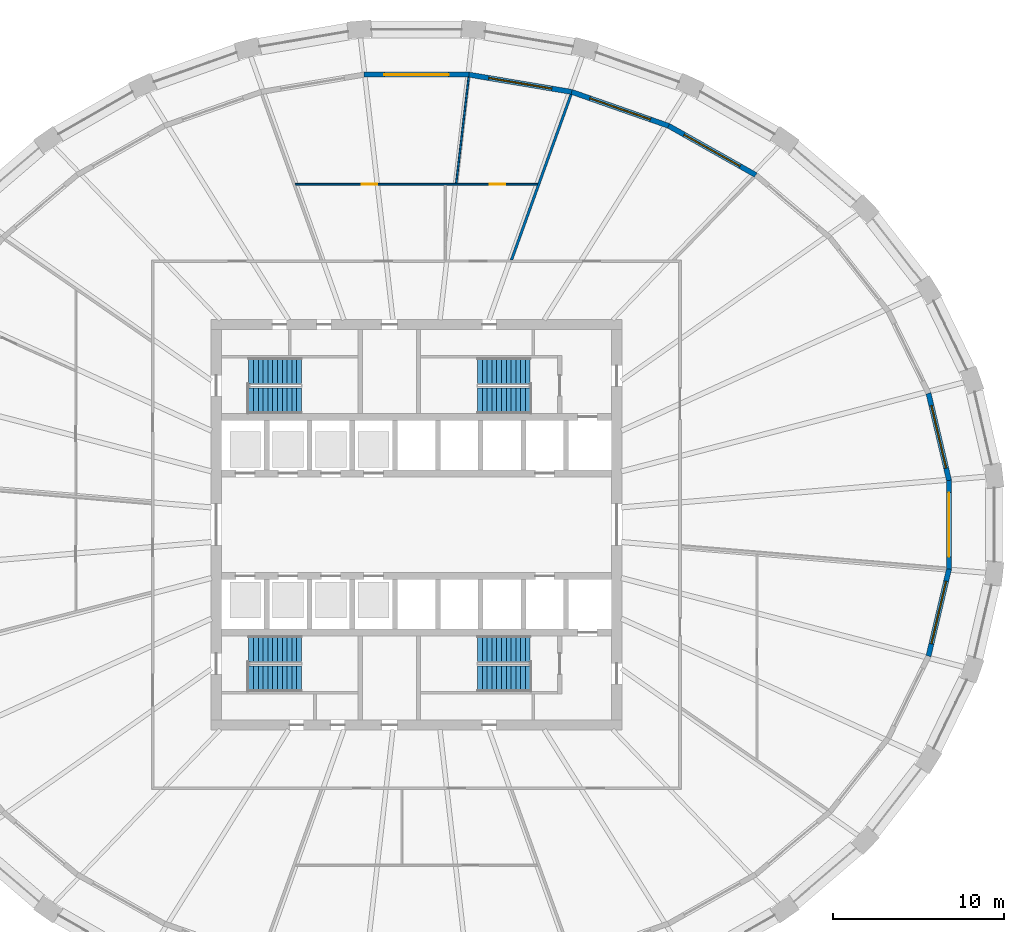
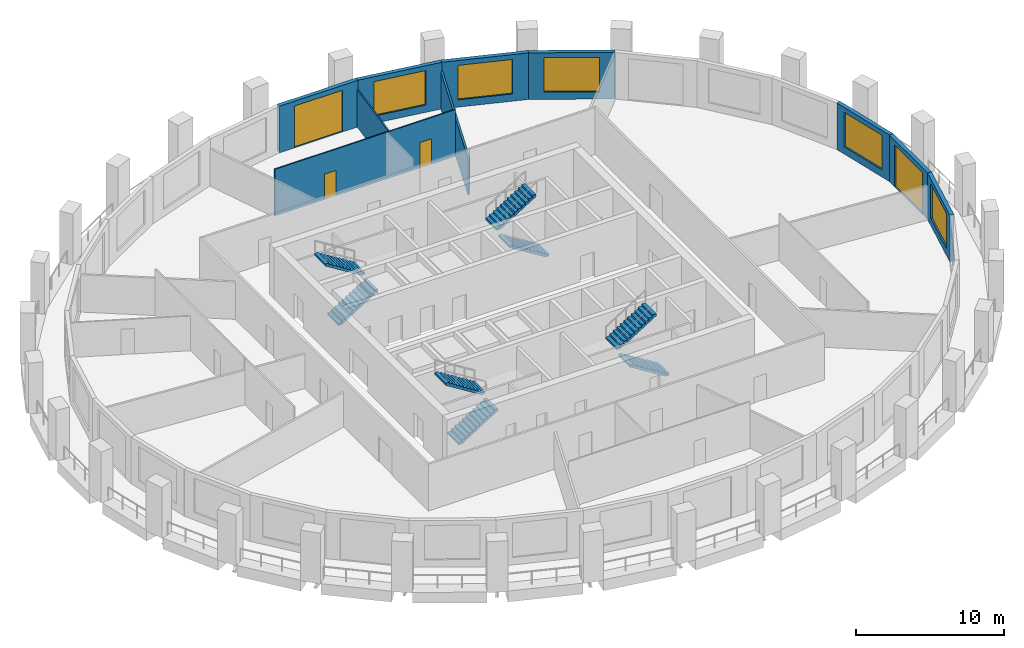
# One storey, part 7 of 10: 10 walls, 8 stair flights, 5 windows, 4 doors, 9 openings, 4 elements without a shape of their own.
"""IFC4 building model written with IfcOpenShell, lengths in metres."""

from ifc_helpers import new_model, si_unit, direction, frame, frame_2d, origin, place, context, subcontext, project, spatial, polyline, rectangle, outline, extrude, material, layer, layer_set, type_object, element, fill, aggregate, save


model = new_model("IFC4")

# Units and contexts
model_context = context("Model", 3, precision=1e-05, world=origin(), true_north=direction((0.0, 1.0)))
body_context = subcontext(model_context, "Body", "Model", "MODEL_VIEW")
ifc_project = project(units=[si_unit("LENGTHUNIT", "METRE"), si_unit("AREAUNIT", "SQUARE_METRE"), si_unit("VOLUMEUNIT", "CUBIC_METRE"), si_unit("PLANEANGLEUNIT", "RADIAN"), si_unit("MASSUNIT", "GRAM", prefix="KILO")], contexts=[model_context])

# Site, building, storey
site_placement = place(None, origin())
site = spatial("IfcSite", under=ifc_project, at=site_placement, CompositionType="ELEMENT")
building_placement = place(site_placement, origin())
building = spatial("IfcBuilding", under=site, at=building_placement, Name="Halqa Exchange Tower", CompositionType="ELEMENT")
storey_placement = place(building_placement, frame((0.0, 0.0, 163.300048828125)))
storey = spatial("IfcBuildingStorey", under=building, at=storey_placement, Name="L37", CompositionType="ELEMENT", Elevation=163.300048828125)

# Wall
ifc_material_1 = material(Name="Fire-rated gypsum board")
ifc_layer_1 = layer(ifc_material_1, 0.14990234375)
ifc_layer_set_1 = layer_set([ifc_layer_1], Name="Fire-rated gypsum board")
wall_type_1 = type_object("IfcWallType", Name="Fire partition EI 60 150", PredefinedType="PARTITIONING", material=ifc_layer_set_1)
wall_1_placement = place(storey_placement, frame((5.54248046875, 15.434814453125, 0.0), z_axis=(0.0, 0.0, 1.0), x_axis=(0.338661655399, 0.940908222497, 0.0)))
element("IfcWall", 1, at=wall_1_placement, inside=storey, type_object=wall_type_1, Name="L37-PWL-019", PredefinedType="PARTITIONING", context=body_context, shape_type="SweptSolid", body=[
    extrude(outline(polyline([(10.318115234375, -0.074951171875), (10.318115234375, -0.04296875), (10.317626953125, 0.0029296875), (10.3046875, 0.074951171875), (8.4599609375, 0.074951171875), (6.615234375, 0.074951171875), (4.770263671875, 0.074951171875), (4.677490234375, 0.04150390625), (4.66552734375, 0.074951171875), (3.1103515625, 0.074951171875), (1.55517578125, 0.074951171875), (0.0, 0.074951171875), (0.0, 0.074462890625), (0.01953125, 0.020263671875), (0.03369140625, 0.025390625), (0.069580078125, -0.074951171875), (1.77783203125, -0.074951171875), (3.48583984375, -0.074951171875), (5.19384765625, -0.074951171875), (6.90185546875, -0.074951171875), (8.610107421875, -0.074951171875), (10.318115234375, -0.074951171875)])), origin(), (0.0, 0.0, 1.0), 3.079833984375),
])

# Wall, openings, doors
ifc_material_2 = material(Name="Gypsum board")
ifc_layer_2 = layer(ifc_material_2, 0.10009765625)
ifc_layer_set_2 = layer_set([ifc_layer_2], Name="Gypsum board")
wall_type_2 = type_object("IfcWallType", Name="Partition 100 gypsum", PredefinedType="PARTITIONING", material=ifc_layer_set_2)
wall_2_placement = place(storey_placement, frame((-7.08740234375, 19.89990234375, 0.0), z_axis=(0.0, 0.0, 1.0), x_axis=(1.0, 0.0, 0.0)))
wall_2 = element("IfcWall", 2, at=wall_2_placement, inside=storey, type_object=wall_type_2, Name="L37-PWL-013", PredefinedType="PARTITIONING", context=body_context, shape_type="SweptSolid", body=[
    extrude(outline(polyline([(0.03564453125, -0.050048828125), (1.77197265625, -0.050048828125), (3.50830078125, -0.050048828125), (5.24462890625, -0.050048828125), (6.98095703125, -0.050048828125), (8.71728515625, -0.050048828125), (8.71728515625, -0.0498046875), (8.8173828125, -0.0498046875), (8.8173828125, -0.050048828125), (10.59130859375, -0.050048828125), (12.365234375, -0.050048828125), (14.13916015625, -0.050048828125), (14.1748046875, 0.048583984375), (14.1748046875, 0.050048828125), (12.6044921875, 0.050048828125), (11.033935546875, 0.050048828125), (9.463623046875, 0.050048828125), (9.463623046875, 0.048828125), (9.45361328125, 0.050048828125), (7.56298828125, 0.050048828125), (5.672119140625, 0.050048828125), (3.781494140625, 0.050048828125), (1.890625, 0.050048828125), (0.0, 0.050048828125), (0.0, 0.048583984375), (0.03564453125, -0.050048828125)])), origin(), (0.0, 0.0, 1.0), 3.849853515625),
])
opening_1_placement = place(wall_2_placement, frame((3.902587890625, 0.0, 0.0)))
opening_1 = element("IfcOpeningElement", 3, at=opening_1_placement, cuts=wall_2, Name="Opening 11-13", PredefinedType="OPENING", context=body_context, shape_type="SweptSolid", body=[
    extrude(rectangle(XDim=0.89990234375, YDim=2.10009765625, at=frame_2d((0.449951171875, 1.050048828125))), frame((0.0, 0.06201171875, 0.0), z_axis=(0.0, -1.0, 0.0), x_axis=(1.0, 0.0, 0.0)), (0.0, 0.0, 1.0), 0.1240234375),
])
opening_2_placement = place(wall_2_placement, frame((11.37255859375, 0.0, 0.0)))
opening_2 = element("IfcOpeningElement", 4, at=opening_2_placement, cuts=wall_2, Name="Opening 11-14", PredefinedType="OPENING", context=body_context, shape_type="SweptSolid", body=[
    extrude(rectangle(XDim=0.89990234375, YDim=2.10009765625, at=frame_2d((0.449951171875, 1.050048828125))), frame((0.0, 0.06201171875, 0.0), z_axis=(0.0, -1.0, 0.0), x_axis=(1.0, 0.0, 0.0)), (0.0, 0.0, 1.0), 0.1240234375),
])
ifc_material_3 = material(Name="Timber door leaf", Category="wood")
door_type_1 = type_object("IfcDoorType", Name="Door 900 x 2100", OperationType="SINGLE_SWING_LEFT", PredefinedType="DOOR", material=ifc_material_3)
door_1_placement = place(opening_1_placement, frame((0.89990234375, 0.0, 0.0), z_axis=(0.0, 0.0, 1.0), x_axis=(-1.0, 0.0, 0.0)))
door_1 = element("IfcDoor", 5, at=door_1_placement, inside=storey, type_object=door_type_1, Name="L37-IDR-013", OperationType="SINGLE_SWING_LEFT", OverallHeight=2.10009765625, OverallWidth=0.89990234375, PredefinedType="DOOR", context=body_context, shape_type="SweptSolid", body=[
    extrude(rectangle(XDim=0.89990234375, YDim=2.10009765625, at=frame_2d((0.449951171875, 1.050048828125))), frame((0.0, 0.02490234375, 0.0), z_axis=(0.0, -1.0, 0.0), x_axis=(1.0, 0.0, 0.0)), (0.0, 0.0, 1.0), 0.050048828125),
])
fill(opening_1, door_1)
door_2_placement = place(opening_2_placement, frame((0.89990234375, 0.0, 0.0), z_axis=(0.0, 0.0, 1.0), x_axis=(-1.0, 0.0, 0.0)))
door_2 = element("IfcDoor", 6, at=door_2_placement, inside=storey, type_object=door_type_1, Name="L37-IDR-014", OperationType="SINGLE_SWING_RIGHT", OverallHeight=2.10009765625, OverallWidth=0.89990234375, PredefinedType="DOOR", context=body_context, shape_type="SweptSolid", body=[
    extrude(rectangle(XDim=0.89990234375, YDim=2.10009765625, at=frame_2d((0.449951171875, 1.050048828125))), frame((0.0, 0.02490234375, 0.0), z_axis=(0.0, -1.0, 0.0), x_axis=(1.0, 0.0, 0.0)), (0.0, 0.0, 1.0), 0.050048828125),
])
fill(opening_2, door_2)

# Wall
wall_3_placement = place(storey_placement, frame((2.3251953125, 19.944091796875, 0.0), z_axis=(0.0, 0.0, 1.0), x_axis=(0.116750504681, 0.993161275754, 0.0)))
element("IfcWall", 7, at=wall_3_placement, inside=storey, type_object=wall_type_2, Name="L37-PWL-017", PredefinedType="PARTITIONING", context=body_context, shape_type="SweptSolid", body=[
    extrude(outline(polyline([(6.244140625, -0.050048828125), (6.244140625, 0.027099609375), (6.241455078125, 0.050048828125), (4.68115234375, 0.050048828125), (3.120849609375, 0.050048828125), (1.560302734375, 0.050048828125), (0.0, 0.050048828125), (0.01171875, -0.050048828125), (1.56982421875, -0.050048828125), (3.1279296875, -0.050048828125), (4.68603515625, -0.050048828125), (6.244140625, -0.050048828125)])), origin(), (0.0, 0.0, 1.0), 3.079833984375),
])

# Wall, opening, window
ifc_material_4 = material(Name="Limestone cladding", Category="masonry")
ifc_layer_3 = layer(ifc_material_4, 0.0400390625)
ifc_material_5 = material(Name="Ventilated cavity")
ifc_layer_4 = layer(ifc_material_5, 0.030029296875, ventilated=True)
ifc_material_6 = material(Name="Mineral wool insulation")
ifc_layer_5 = layer(ifc_material_6, 0.10009765625)
ifc_material_7 = material(Name="Concrete C30/37", Category="concrete")
ifc_layer_6 = layer(ifc_material_7, 0.10009765625)
ifc_material_8 = material(Name="Internal plaster")
ifc_layer_7 = layer(ifc_material_8, 0.030029296875)
ifc_layer_set_3 = layer_set([ifc_layer_3, ifc_layer_4, ifc_layer_5, ifc_layer_6, ifc_layer_7], Name="Stone-faced insulated wall 300")
wall_type_3 = type_object("IfcWallType", Name="Stone-faced insulated wall 300", PredefinedType="STANDARD", material=ifc_layer_set_3)
wall_4_placement = place(storey_placement, frame((31.12109375, 2.5927734375, 0.0), z_axis=(0.0, 0.0, 1.0), x_axis=(-0.229297175564, 0.973356463624, 0.0)))
wall_4 = element("IfcWall", 8, at=wall_4_placement, inside=storey, type_object=wall_type_3, Name="Glass-line wall 1", PredefinedType="STANDARD", context=body_context, shape_type="SweptSolid", body=[
    extrude(outline(polyline([(-0.017333984375, -0.14990234375), (5.241455078125, -0.14990234375), (5.207763671875, 0.14990234375), (0.017333984375, 0.14990234375), (-0.017333984375, -0.14990234375)])), origin(), (0.0, 0.0, 1.0), 3.849853515625),
])
opening_3_placement = place(wall_4_placement, frame((0.7373046875, 0.0, 0.60009765625)))
opening_3 = element("IfcOpeningElement", 9, at=opening_3_placement, cuts=wall_4, Name="Opening W-F2-01", PredefinedType="OPENING", context=body_context, shape_type="SweptSolid", body=[
    extrude(rectangle(XDim=3.75, YDim=2.85009765625, at=frame_2d((1.875, 1.425048828125))), frame((0.0, 0.162109375, 0.0), z_axis=(0.0, -1.0, 0.0), x_axis=(1.0, 0.0, 0.0)), (0.0, 0.0, 1.0), 0.323974609375),
])
ifc_material_9 = material(Name="Clear low-emissivity glass in aluminium frame", Category="aluminium")
window_type = type_object("IfcWindowType", Name="Fixed clear glazed window 3750 x 2850", PartitioningType="TRIPLE_PANEL_VERTICAL", PredefinedType="WINDOW", material=ifc_material_9)
window_1_placement = place(opening_3_placement, origin())
window_1 = element("IfcWindow", 10, at=window_1_placement, inside=storey, type_object=window_type, Name="Window 2", OverallHeight=2.85009765625, OverallWidth=3.75, PartitioningType="TRIPLE_PANEL_VERTICAL", PredefinedType="WINDOW", context=body_context, shape_type="SweptSolid", body=[
    extrude(rectangle(XDim=3.75, YDim=2.85009765625, at=frame_2d((1.875, 1.425048828125))), frame((0.0, 0.030029296875, 0.0), z_axis=(0.0, -1.0, 0.0), x_axis=(1.0, 0.0, 0.0)), (0.0, 0.0, 1.0), 0.06005859375),
])
fill(opening_3, window_1)

wall_5_placement = place(storey_placement, frame((19.8291015625, 20.434814453125, 0.0), z_axis=(0.0, 0.0, 1.0), x_axis=(-0.870982130072, 0.491314694565, 0.0)))
wall_5 = element("IfcWall", 11, at=wall_5_placement, inside=storey, type_object=wall_type_3, Name="Glass-line wall 5", PredefinedType="STANDARD", context=body_context, shape_type="SweptSolid", body=[
    extrude(outline(polyline([(-0.01416015625, -0.14990234375), (5.864990234375, -0.14990234375), (5.838134765625, 0.14990234375), (0.01416015625, 0.14990234375), (-0.01416015625, -0.14990234375)])), origin(), (0.0, 0.0, 1.0), 3.849853515625),
])
opening_4_placement = place(wall_5_placement, frame((1.05078125, 0.0, 0.60009765625)))
opening_4 = element("IfcOpeningElement", 12, at=opening_4_placement, cuts=wall_5, Name="Opening W-F2-05", PredefinedType="OPENING", context=body_context, shape_type="SweptSolid", body=[
    extrude(rectangle(XDim=3.75, YDim=2.85009765625, at=frame_2d((1.875, 1.425048828125))), frame((0.0, 0.162109375, 0.0), z_axis=(0.0, -1.0, 0.0), x_axis=(1.0, 0.0, 0.0)), (0.0, 0.0, 1.0), 0.323974609375),
])
window_2_placement = place(opening_4_placement, origin())
window_2 = element("IfcWindow", 13, at=window_2_placement, inside=storey, type_object=window_type, Name="Window 2", OverallHeight=2.85009765625, OverallWidth=3.75, PartitioningType="TRIPLE_PANEL_VERTICAL", PredefinedType="WINDOW", context=body_context, shape_type="SweptSolid", body=[
    extrude(rectangle(XDim=3.75, YDim=2.85009765625, at=frame_2d((1.875, 1.425048828125))), frame((0.0, 0.030029296875, 0.0), z_axis=(0.0, -1.0, 0.0), x_axis=(1.0, 0.0, 0.0)), (0.0, 0.0, 1.0), 0.06005859375),
])
fill(opening_4, window_2)

wall_6_placement = place(storey_placement, frame((14.732421875, 23.309814453125, 0.0), z_axis=(0.0, 0.0, 1.0), x_axis=(-0.943944636678, 0.330103806228, 0.0)))
wall_6 = element("IfcWall", 14, at=wall_6_placement, inside=storey, type_object=wall_type_3, Name="Glass-line wall 6", PredefinedType="STANDARD", context=body_context, shape_type="SweptSolid", body=[
    extrude(outline(polyline([(-0.013427734375, -0.14990234375), (6.010009765625, -0.14990234375), (5.984619140625, 0.14990234375), (0.013427734375, 0.14990234375), (-0.013427734375, -0.14990234375)])), origin(), (0.0, 0.0, 1.0), 3.849853515625),
])
opening_5_placement = place(wall_6_placement, frame((1.12353515625, 0.0, 0.60009765625)))
opening_5 = element("IfcOpeningElement", 15, at=opening_5_placement, cuts=wall_6, Name="Opening W-F2-06", PredefinedType="OPENING", context=body_context, shape_type="SweptSolid", body=[
    extrude(rectangle(XDim=3.75, YDim=2.85009765625, at=frame_2d((1.875, 1.425048828125))), frame((0.0, 0.162109375, 0.0), z_axis=(0.0, -1.0, 0.0), x_axis=(1.0, 0.0, 0.0)), (0.0, 0.0, 1.0), 0.323974609375),
])
window_3_placement = place(opening_5_placement, origin())
window_3 = element("IfcWindow", 16, at=window_3_placement, inside=storey, type_object=window_type, Name="Window 2", OverallHeight=2.85009765625, OverallWidth=3.75, PartitioningType="TRIPLE_PANEL_VERTICAL", PredefinedType="WINDOW", context=body_context, shape_type="SweptSolid", body=[
    extrude(rectangle(XDim=3.75, YDim=2.85009765625, at=frame_2d((1.875, 1.425048828125))), frame((0.0, 0.030029296875, 0.0), z_axis=(0.0, -1.0, 0.0), x_axis=(1.0, 0.0, 0.0)), (0.0, 0.0, 1.0), 0.06005859375),
])
fill(opening_5, window_3)

wall_7_placement = place(storey_placement, frame((9.0712890625, 25.28955078125, 0.0), z_axis=(0.0, 0.0, 1.0), x_axis=(-0.98618955457, 0.165620537547, 0.0)))
wall_7 = element("IfcWall", 17, at=wall_7_placement, inside=storey, type_object=wall_type_3, Name="Glass-line wall 7", PredefinedType="STANDARD", context=body_context, shape_type="SweptSolid", body=[
    extrude(outline(polyline([(-0.0126953125, -0.14990234375), (6.10498046875, -0.14990234375), (6.080078125, 0.14990234375), (0.0126953125, 0.14990234375), (-0.0126953125, -0.14990234375)])), origin(), (0.0, 0.0, 1.0), 3.849853515625),
])
opening_6_placement = place(wall_7_placement, frame((1.17138671875, 0.0, 0.60009765625)))
opening_6 = element("IfcOpeningElement", 18, at=opening_6_placement, cuts=wall_7, Name="Opening W-F2-07", PredefinedType="OPENING", context=body_context, shape_type="SweptSolid", body=[
    extrude(rectangle(XDim=3.75, YDim=2.85009765625, at=frame_2d((1.875, 1.425048828125))), frame((0.0, 0.162109375, 0.0), z_axis=(0.0, -1.0, 0.0), x_axis=(1.0, 0.0, 0.0)), (0.0, 0.0, 1.0), 0.323974609375),
])
window_4_placement = place(opening_6_placement, origin())
window_4 = element("IfcWindow", 19, at=window_4_placement, inside=storey, type_object=window_type, Name="Window 2", OverallHeight=2.85009765625, OverallWidth=3.75, PartitioningType="TRIPLE_PANEL_VERTICAL", PredefinedType="WINDOW", context=body_context, shape_type="SweptSolid", body=[
    extrude(rectangle(XDim=3.75, YDim=2.85009765625, at=frame_2d((1.875, 1.425048828125))), frame((0.0, 0.030029296875, 0.0), z_axis=(0.0, -1.0, 0.0), x_axis=(1.0, 0.0, 0.0)), (0.0, 0.0, 1.0), 0.06005859375),
])
fill(opening_6, window_4)

# Wall, opening, door
wall_8_placement = place(storey_placement, frame((3.06298828125, 26.298583984375, 0.0), z_axis=(0.0, 0.0, 1.0), x_axis=(-1.0, 0.0, 0.0)))
wall_8 = element("IfcWall", 20, at=wall_8_placement, inside=storey, type_object=wall_type_3, Name="Glass-line wall 8", PredefinedType="STANDARD", context=body_context, shape_type="SweptSolid", body=[
    extrude(outline(polyline([(-0.012451171875, -0.14990234375), (6.138427734375, -0.14990234375), (6.113525390625, 0.14990234375), (0.012451171875, 0.14990234375), (-0.012451171875, -0.14990234375)])), origin(), (0.0, 0.0, 1.0), 3.849853515625),
])
opening_7_placement = place(wall_8_placement, frame((1.18798828125, 0.0, 0.0)))
opening_7 = element("IfcOpeningElement", 21, at=opening_7_placement, cuts=wall_8, Name="Opening LG-F2-02", PredefinedType="OPENING", context=body_context, shape_type="SweptSolid", body=[
    extrude(rectangle(XDim=3.75, YDim=3.449951171875, at=frame_2d((1.875, 1.72509765625))), frame((0.0, 0.162109375, 0.0), z_axis=(0.0, -1.0, 0.0), x_axis=(1.0, 0.0, 0.0)), (0.0, 0.0, 1.0), 0.323974609375),
])
door_type_2 = type_object("IfcDoorType", Name="Glazed sliding loggia door 3750 x 3450", OperationType="DOUBLE_DOOR_SLIDING", PredefinedType="DOOR", material=ifc_material_9)
door_3_placement = place(opening_7_placement, origin())
door_3 = element("IfcDoor", 22, at=door_3_placement, inside=storey, type_object=door_type_2, Name="Loggia door 2", OperationType="DOUBLE_DOOR_SLIDING", OverallHeight=3.449951171875, OverallWidth=3.75, PredefinedType="DOOR", context=body_context, shape_type="SweptSolid", body=[
    extrude(rectangle(XDim=3.75, YDim=3.449951171875, at=frame_2d((1.875, 1.72509765625))), frame((0.0, 0.02490234375, 0.0), z_axis=(0.0, -1.0, 0.0), x_axis=(1.0, 0.0, 0.0)), (0.0, 0.0, 1.0), 0.050048828125),
])
fill(opening_7, door_3)

# Wall, opening, window
wall_9_placement = place(storey_placement, frame((29.923095703125, -7.67822265625, 0.0), z_axis=(0.0, 0.0, 1.0), x_axis=(0.229297175564, 0.973356463624, 0.0)))
wall_9 = element("IfcWall", 23, at=wall_9_placement, inside=storey, type_object=wall_type_3, Name="Glass-line wall 31", PredefinedType="STANDARD", context=body_context, shape_type="SweptSolid", body=[
    extrude(outline(polyline([(-0.016845703125, -0.14990234375), (5.241943359375, -0.14990234375), (5.207275390625, 0.14990234375), (0.016845703125, 0.14990234375), (-0.016845703125, -0.14990234375)])), origin(), (0.0, 0.0, 1.0), 3.849853515625),
])
opening_8_placement = place(wall_9_placement, frame((0.7373046875, 0.0, 0.60009765625)))
opening_8 = element("IfcOpeningElement", 24, at=opening_8_placement, cuts=wall_9, Name="Opening W-F2-31", PredefinedType="OPENING", context=body_context, shape_type="SweptSolid", body=[
    extrude(rectangle(XDim=3.75, YDim=2.85009765625, at=frame_2d((1.875, 1.425048828125))), frame((0.0, 0.162109375, 0.0), z_axis=(0.0, -1.0, 0.0), x_axis=(1.0, 0.0, 0.0)), (0.0, 0.0, 1.0), 0.323974609375),
])
window_5_placement = place(opening_8_placement, origin())
window_5 = element("IfcWindow", 25, at=window_5_placement, inside=storey, type_object=window_type, Name="Window 2", OverallHeight=2.85009765625, OverallWidth=3.75, PartitioningType="TRIPLE_PANEL_VERTICAL", PredefinedType="WINDOW", context=body_context, shape_type="SweptSolid", body=[
    extrude(rectangle(XDim=3.75, YDim=2.85009765625, at=frame_2d((1.875, 1.425048828125))), frame((0.0, 0.030029296875, 0.0), z_axis=(0.0, -1.0, 0.0), x_axis=(1.0, 0.0, 0.0)), (0.0, 0.0, 1.0), 0.06005859375),
])
fill(opening_8, window_5)

# Wall, opening, door
wall_10_placement = place(storey_placement, frame((31.12109375, -2.5927734375, 0.0), z_axis=(0.0, 0.0, 1.0), x_axis=(0.0, 1.0, 0.0)))
wall_10 = element("IfcWall", 26, at=wall_10_placement, inside=storey, type_object=wall_type_3, Name="Glass-line wall 32", PredefinedType="STANDARD", context=body_context, shape_type="SweptSolid", body=[
    extrude(outline(polyline([(-0.017333984375, -0.14990234375), (5.202880859375, -0.14990234375), (5.168212890625, 0.14990234375), (0.017333984375, 0.14990234375), (-0.017333984375, -0.14990234375)])), origin(), (0.0, 0.0, 1.0), 3.849853515625),
])
opening_9_placement = place(wall_10_placement, frame((0.7177734375, 0.0, 0.0)))
opening_9 = element("IfcOpeningElement", 27, at=opening_9_placement, cuts=wall_10, Name="Opening LG-F2-08", PredefinedType="OPENING", context=body_context, shape_type="SweptSolid", body=[
    extrude(rectangle(XDim=3.75, YDim=3.449951171875, at=frame_2d((1.875, 1.72509765625))), frame((0.0, 0.162109375, 0.0), z_axis=(0.0, -1.0, 0.0), x_axis=(1.0, 0.0, 0.0)), (0.0, 0.0, 1.0), 0.323974609375),
])
door_4_placement = place(opening_9_placement, origin())
door_4 = element("IfcDoor", 28, at=door_4_placement, inside=storey, type_object=door_type_2, Name="Loggia door 8", OperationType="DOUBLE_DOOR_SLIDING", OverallHeight=3.449951171875, OverallWidth=3.75, PredefinedType="DOOR", context=body_context, shape_type="SweptSolid", body=[
    extrude(rectangle(XDim=3.75, YDim=3.449951171875, at=frame_2d((1.875, 1.72509765625))), frame((0.0, 0.02490234375, 0.0), z_axis=(0.0, -1.0, 0.0), x_axis=(1.0, 0.0, 0.0)), (0.0, 0.0, 1.0), 0.050048828125),
])
fill(opening_9, door_4)

# Stair, stair flights
stair_type = type_object("IfcStairType", Name="Exit stair 1500 wide", PredefinedType="HALF_TURN_STAIR", material=ifc_material_7)
stair_1_placement = place(storey_placement, origin())
stair_1 = element("IfcStair", 29, at=stair_1_placement, inside=storey, type_object=stair_type, Name="Exit stair ST1", PredefinedType="HALF_TURN_STAIR")
stair_flight_type = type_object("IfcStairFlightType", Name="Stair flight 1500 wide", PredefinedType="STRAIGHT", material=ifc_material_7)
stair_flight_1_placement = place(storey_placement, frame((-9.800048828125, 7.25, 0.0), z_axis=(0.0, 0.0, 1.0), x_axis=(1.0, 0.0, 0.0)))
stair_flight_1 = element("IfcStairFlight", 30, at=stair_flight_1_placement, type_object=stair_flight_type, Name="ST1 flight 1", NumberOfRisers=12, NumberOfTreads=11, PredefinedType="STRAIGHT", RiserHeight=0.175, TreadLength=0.28, context=body_context, shape_type="SweptSolid", body=[
    extrude(outline(polyline([(0.0, 0.0), (0.0, 0.175048828125), (0.280029296875, 0.175048828125), (0.280029296875, 0.35009765625), (0.56005859375, 0.35009765625), (0.56005859375, 0.52490234375), (0.840087890625, 0.52490234375), (0.840087890625, 0.699951171875), (1.1201171875, 0.699951171875), (1.1201171875, 0.875), (1.39990234375, 0.875), (1.39990234375, 1.050048828125), (1.679931640625, 1.050048828125), (1.679931640625, 1.22509765625), (1.9599609375, 1.22509765625), (1.9599609375, 1.39990234375), (2.239990234375, 1.39990234375), (2.239990234375, 1.574951171875), (2.52001953125, 1.574951171875), (2.52001953125, 1.75), (2.800048828125, 1.75), (2.800048828125, 1.925048828125), (3.080078125, 1.925048828125), (3.080078125, 2.10009765625), (3.080078125, 1.748291015625), (0.28271484375, 0.0), (0.0, 0.0)])), frame((0.0, 0.75, 0.0), z_axis=(0.0, -1.0, 0.0), x_axis=(1.0, 0.0, 0.0)), (0.0, 0.0, 1.0), 1.5),
])
stair_flight_2_placement = place(storey_placement, frame((-6.719970703125, 9.0, 2.099853515625), z_axis=(0.0, 0.0, 1.0), x_axis=(-1.0, 0.0, 0.0)))
stair_flight_2 = element("IfcStairFlight", 31, at=stair_flight_2_placement, type_object=stair_flight_type, Name="ST1 flight 2", NumberOfRisers=12, NumberOfTreads=11, PredefinedType="STRAIGHT", RiserHeight=0.175, TreadLength=0.28, context=body_context, shape_type="SweptSolid", body=[
    extrude(outline(polyline([(0.0, 0.0), (0.0, 0.175048828125), (0.280029296875, 0.175048828125), (0.280029296875, 0.35009765625), (0.56005859375, 0.35009765625), (0.56005859375, 0.52490234375), (0.840087890625, 0.52490234375), (0.840087890625, 0.699951171875), (1.1201171875, 0.699951171875), (1.1201171875, 0.875), (1.39990234375, 0.875), (1.39990234375, 1.050048828125), (1.679931640625, 1.050048828125), (1.679931640625, 1.22509765625), (1.9599609375, 1.22509765625), (1.9599609375, 1.39990234375), (2.239990234375, 1.39990234375), (2.239990234375, 1.574951171875), (2.52001953125, 1.574951171875), (2.52001953125, 1.75), (2.800048828125, 1.75), (2.800048828125, 1.925048828125), (3.080078125, 1.925048828125), (3.080078125, 2.10009765625), (3.080078125, 1.748291015625), (0.28271484375, 0.0), (0.0, 0.0)])), frame((0.0, 0.75, 0.0), z_axis=(0.0, -1.0, 0.0), x_axis=(1.0, 0.0, 0.0)), (0.0, 0.0, 1.0), 1.5),
])
aggregate(stair_1, [stair_flight_1, stair_flight_2])

stair_2_placement = place(storey_placement, origin())
stair_2 = element("IfcStair", 32, at=stair_2_placement, inside=storey, type_object=stair_type, Name="Exit stair ST2", PredefinedType="HALF_TURN_STAIR")
stair_flight_3_placement = place(storey_placement, frame((6.64990234375, 7.25, 0.0), z_axis=(0.0, 0.0, 1.0), x_axis=(-1.0, 0.0, 0.0)))
stair_flight_3 = element("IfcStairFlight", 33, at=stair_flight_3_placement, type_object=stair_flight_type, Name="ST2 flight 1", NumberOfRisers=12, NumberOfTreads=11, PredefinedType="STRAIGHT", RiserHeight=0.175, TreadLength=0.28, context=body_context, shape_type="SweptSolid", body=[
    extrude(outline(polyline([(0.0, 0.0), (0.0, 0.175048828125), (0.280029296875, 0.175048828125), (0.280029296875, 0.35009765625), (0.56005859375, 0.35009765625), (0.56005859375, 0.52490234375), (0.840087890625, 0.52490234375), (0.840087890625, 0.699951171875), (1.1201171875, 0.699951171875), (1.1201171875, 0.875), (1.39990234375, 0.875), (1.39990234375, 1.050048828125), (1.679931640625, 1.050048828125), (1.679931640625, 1.22509765625), (1.9599609375, 1.22509765625), (1.9599609375, 1.39990234375), (2.239990234375, 1.39990234375), (2.239990234375, 1.574951171875), (2.52001953125, 1.574951171875), (2.52001953125, 1.75), (2.800048828125, 1.75), (2.800048828125, 1.925048828125), (3.080078125, 1.925048828125), (3.080078125, 2.10009765625), (3.080078125, 1.748291015625), (0.28271484375, 0.0), (0.0, 0.0)])), frame((0.0, 0.75, 0.0), z_axis=(0.0, -1.0, 0.0), x_axis=(1.0, 0.0, 0.0)), (0.0, 0.0, 1.0), 1.5),
])
stair_flight_4_placement = place(storey_placement, frame((3.570068359375, 9.0, 2.099853515625), z_axis=(0.0, 0.0, 1.0), x_axis=(1.0, 0.0, 0.0)))
stair_flight_4 = element("IfcStairFlight", 34, at=stair_flight_4_placement, type_object=stair_flight_type, Name="ST2 flight 2", NumberOfRisers=12, NumberOfTreads=11, PredefinedType="STRAIGHT", RiserHeight=0.175, TreadLength=0.28, context=body_context, shape_type="SweptSolid", body=[
    extrude(outline(polyline([(0.0, 0.0), (0.0, 0.175048828125), (0.280029296875, 0.175048828125), (0.280029296875, 0.35009765625), (0.56005859375, 0.35009765625), (0.56005859375, 0.52490234375), (0.840087890625, 0.52490234375), (0.840087890625, 0.699951171875), (1.1201171875, 0.699951171875), (1.1201171875, 0.875), (1.39990234375, 0.875), (1.39990234375, 1.050048828125), (1.679931640625, 1.050048828125), (1.679931640625, 1.22509765625), (1.9599609375, 1.22509765625), (1.9599609375, 1.39990234375), (2.239990234375, 1.39990234375), (2.239990234375, 1.574951171875), (2.52001953125, 1.574951171875), (2.52001953125, 1.75), (2.800048828125, 1.75), (2.800048828125, 1.925048828125), (3.080078125, 1.925048828125), (3.080078125, 2.10009765625), (3.080078125, 1.748291015625), (0.28271484375, 0.0), (0.0, 0.0)])), frame((0.0, 0.75, 0.0), z_axis=(0.0, -1.0, 0.0), x_axis=(1.0, 0.0, 0.0)), (0.0, 0.0, 1.0), 1.5),
])
aggregate(stair_2, [stair_flight_3, stair_flight_4])

stair_3_placement = place(storey_placement, origin())
stair_3 = element("IfcStair", 35, at=stair_3_placement, inside=storey, type_object=stair_type, Name="Exit stair ST3", PredefinedType="HALF_TURN_STAIR")
stair_flight_5_placement = place(storey_placement, frame((-9.800048828125, -9.0, 0.0), z_axis=(0.0, 0.0, 1.0), x_axis=(1.0, 0.0, 0.0)))
stair_flight_5 = element("IfcStairFlight", 36, at=stair_flight_5_placement, type_object=stair_flight_type, Name="ST3 flight 1", NumberOfRisers=12, NumberOfTreads=11, PredefinedType="STRAIGHT", RiserHeight=0.175, TreadLength=0.28, context=body_context, shape_type="SweptSolid", body=[
    extrude(outline(polyline([(0.0, 0.0), (0.0, 0.175048828125), (0.280029296875, 0.175048828125), (0.280029296875, 0.35009765625), (0.56005859375, 0.35009765625), (0.56005859375, 0.52490234375), (0.840087890625, 0.52490234375), (0.840087890625, 0.699951171875), (1.1201171875, 0.699951171875), (1.1201171875, 0.875), (1.39990234375, 0.875), (1.39990234375, 1.050048828125), (1.679931640625, 1.050048828125), (1.679931640625, 1.22509765625), (1.9599609375, 1.22509765625), (1.9599609375, 1.39990234375), (2.239990234375, 1.39990234375), (2.239990234375, 1.574951171875), (2.52001953125, 1.574951171875), (2.52001953125, 1.75), (2.800048828125, 1.75), (2.800048828125, 1.925048828125), (3.080078125, 1.925048828125), (3.080078125, 2.10009765625), (3.080078125, 1.748291015625), (0.28271484375, 0.0), (0.0, 0.0)])), frame((0.0, 0.75, 0.0), z_axis=(0.0, -1.0, 0.0), x_axis=(1.0, 0.0, 0.0)), (0.0, 0.0, 1.0), 1.5),
])
stair_flight_6_placement = place(storey_placement, frame((-6.719970703125, -7.25, 2.099853515625), z_axis=(0.0, 0.0, 1.0), x_axis=(-1.0, 0.0, 0.0)))
stair_flight_6 = element("IfcStairFlight", 37, at=stair_flight_6_placement, type_object=stair_flight_type, Name="ST3 flight 2", NumberOfRisers=12, NumberOfTreads=11, PredefinedType="STRAIGHT", RiserHeight=0.175, TreadLength=0.28, context=body_context, shape_type="SweptSolid", body=[
    extrude(outline(polyline([(0.0, 0.0), (0.0, 0.175048828125), (0.280029296875, 0.175048828125), (0.280029296875, 0.35009765625), (0.56005859375, 0.35009765625), (0.56005859375, 0.52490234375), (0.840087890625, 0.52490234375), (0.840087890625, 0.699951171875), (1.1201171875, 0.699951171875), (1.1201171875, 0.875), (1.39990234375, 0.875), (1.39990234375, 1.050048828125), (1.679931640625, 1.050048828125), (1.679931640625, 1.22509765625), (1.9599609375, 1.22509765625), (1.9599609375, 1.39990234375), (2.239990234375, 1.39990234375), (2.239990234375, 1.574951171875), (2.52001953125, 1.574951171875), (2.52001953125, 1.75), (2.800048828125, 1.75), (2.800048828125, 1.925048828125), (3.080078125, 1.925048828125), (3.080078125, 2.10009765625), (3.080078125, 1.748291015625), (0.28271484375, 0.0), (0.0, 0.0)])), frame((0.0, 0.75, 0.0), z_axis=(0.0, -1.0, 0.0), x_axis=(1.0, 0.0, 0.0)), (0.0, 0.0, 1.0), 1.5),
])
aggregate(stair_3, [stair_flight_5, stair_flight_6])

stair_4_placement = place(storey_placement, origin())
stair_4 = element("IfcStair", 38, at=stair_4_placement, inside=storey, type_object=stair_type, Name="Exit stair ST4", PredefinedType="HALF_TURN_STAIR")
stair_flight_7_placement = place(storey_placement, frame((6.64990234375, -9.0, 0.0), z_axis=(0.0, 0.0, 1.0), x_axis=(-1.0, 0.0, 0.0)))
stair_flight_7 = element("IfcStairFlight", 39, at=stair_flight_7_placement, type_object=stair_flight_type, Name="ST4 flight 1", NumberOfRisers=12, NumberOfTreads=11, PredefinedType="STRAIGHT", RiserHeight=0.175, TreadLength=0.28, context=body_context, shape_type="SweptSolid", body=[
    extrude(outline(polyline([(0.0, 0.0), (0.0, 0.175048828125), (0.280029296875, 0.175048828125), (0.280029296875, 0.35009765625), (0.56005859375, 0.35009765625), (0.56005859375, 0.52490234375), (0.840087890625, 0.52490234375), (0.840087890625, 0.699951171875), (1.1201171875, 0.699951171875), (1.1201171875, 0.875), (1.39990234375, 0.875), (1.39990234375, 1.050048828125), (1.679931640625, 1.050048828125), (1.679931640625, 1.22509765625), (1.9599609375, 1.22509765625), (1.9599609375, 1.39990234375), (2.239990234375, 1.39990234375), (2.239990234375, 1.574951171875), (2.52001953125, 1.574951171875), (2.52001953125, 1.75), (2.800048828125, 1.75), (2.800048828125, 1.925048828125), (3.080078125, 1.925048828125), (3.080078125, 2.10009765625), (3.080078125, 1.748291015625), (0.28271484375, 0.0), (0.0, 0.0)])), frame((0.0, 0.75, 0.0), z_axis=(0.0, -1.0, 0.0), x_axis=(1.0, 0.0, 0.0)), (0.0, 0.0, 1.0), 1.5),
])
stair_flight_8_placement = place(storey_placement, frame((3.570068359375, -7.25, 2.099853515625), z_axis=(0.0, 0.0, 1.0), x_axis=(1.0, 0.0, 0.0)))
stair_flight_8 = element("IfcStairFlight", 40, at=stair_flight_8_placement, type_object=stair_flight_type, Name="ST4 flight 2", NumberOfRisers=12, NumberOfTreads=11, PredefinedType="STRAIGHT", RiserHeight=0.175, TreadLength=0.28, context=body_context, shape_type="SweptSolid", body=[
    extrude(outline(polyline([(0.0, 0.0), (0.0, 0.175048828125), (0.280029296875, 0.175048828125), (0.280029296875, 0.35009765625), (0.56005859375, 0.35009765625), (0.56005859375, 0.52490234375), (0.840087890625, 0.52490234375), (0.840087890625, 0.699951171875), (1.1201171875, 0.699951171875), (1.1201171875, 0.875), (1.39990234375, 0.875), (1.39990234375, 1.050048828125), (1.679931640625, 1.050048828125), (1.679931640625, 1.22509765625), (1.9599609375, 1.22509765625), (1.9599609375, 1.39990234375), (2.239990234375, 1.39990234375), (2.239990234375, 1.574951171875), (2.52001953125, 1.574951171875), (2.52001953125, 1.75), (2.800048828125, 1.75), (2.800048828125, 1.925048828125), (3.080078125, 1.925048828125), (3.080078125, 2.10009765625), (3.080078125, 1.748291015625), (0.28271484375, 0.0), (0.0, 0.0)])), frame((0.0, 0.75, 0.0), z_axis=(0.0, -1.0, 0.0), x_axis=(1.0, 0.0, 0.0)), (0.0, 0.0, 1.0), 1.5),
])
aggregate(stair_4, [stair_flight_7, stair_flight_8])

save(model, "model.ifc")
